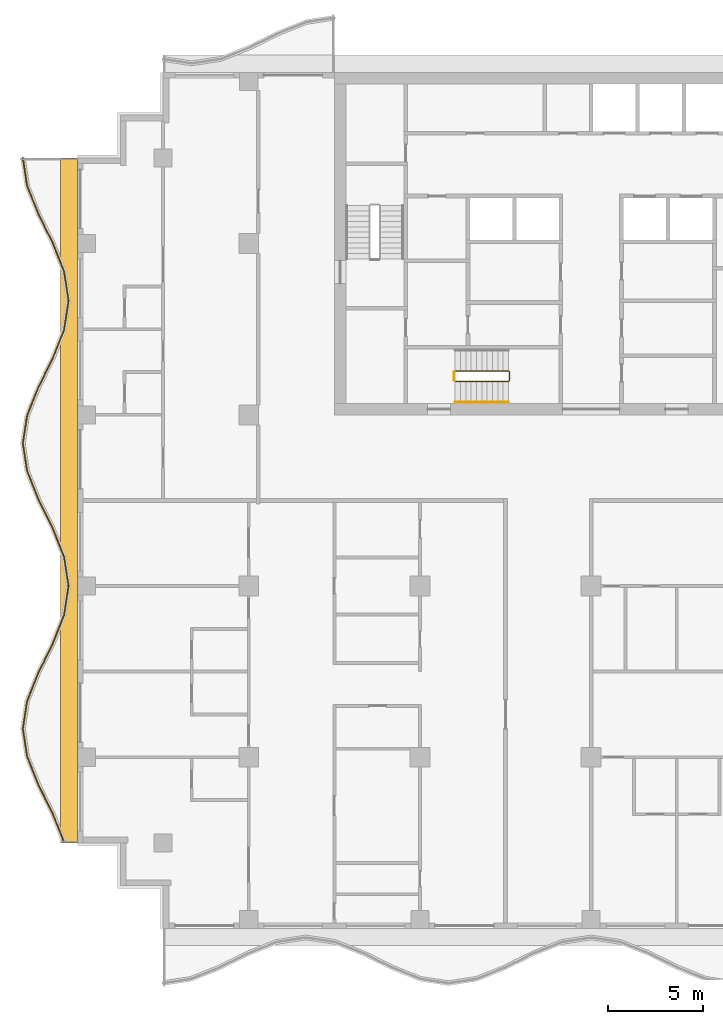
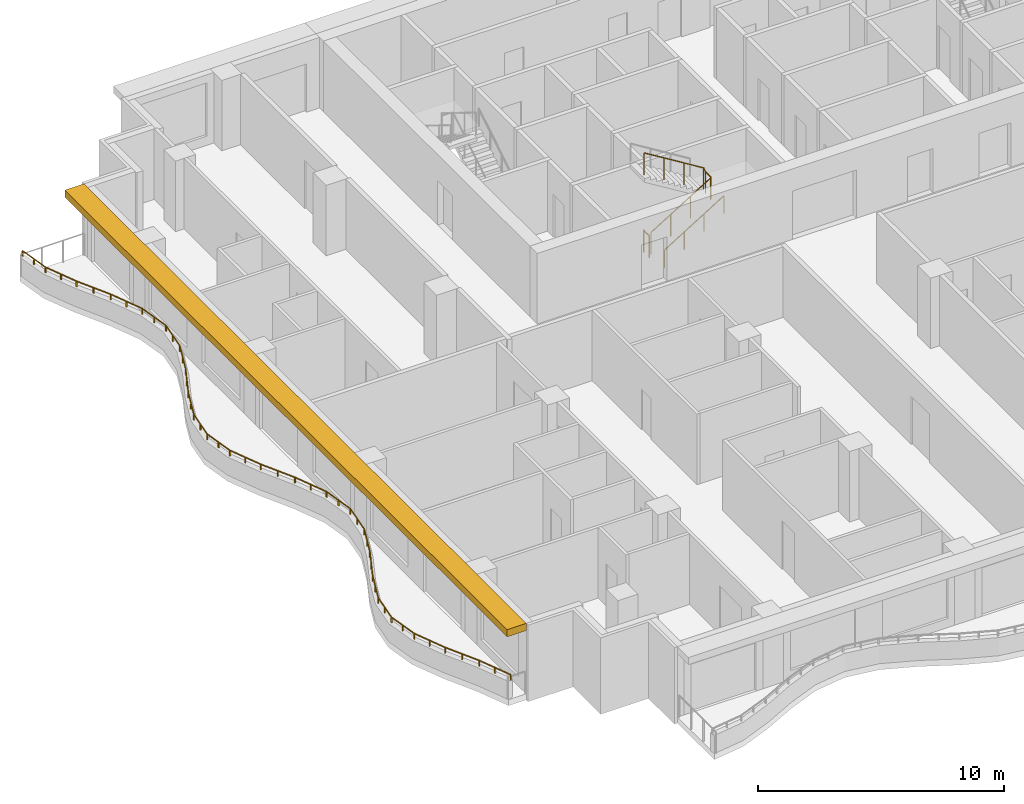
# One storey, part 9 of 11: 4 railings, 1 shading device.
"""IFC4 building model written with IfcOpenShell, lengths in metres."""

from ifc_helpers import new_model, si_unit, direction, frame, origin, origin_2d, place, context, subcontext, project, spatial, polyline, rectangle, circle, outline, extrude, material, layer, layer_set, type_object, element, save


model = new_model("IFC4")

# Units and contexts
model_context = context("Model", 3, precision=1e-05, world=origin(), true_north=direction((0.0, 1.0)))
body_context = subcontext(model_context, "Body", "Model", "MODEL_VIEW")
ifc_project = project(units=[si_unit("LENGTHUNIT", "METRE"), si_unit("AREAUNIT", "SQUARE_METRE"), si_unit("VOLUMEUNIT", "CUBIC_METRE"), si_unit("PLANEANGLEUNIT", "RADIAN"), si_unit("MASSUNIT", "GRAM", prefix="KILO")], contexts=[model_context])

# Site, building, storey
site_placement = place(None, origin())
site = spatial("IfcSite", under=ifc_project, at=site_placement, CompositionType="ELEMENT")
building_placement = place(site_placement, origin())
building = spatial("IfcBuilding", under=site, at=building_placement, Name="Orbiselva Terraces", CompositionType="ELEMENT")
storey_placement = place(building_placement, frame((0.0, 0.0, 218.6)))
storey = spatial("IfcBuildingStorey", under=building, at=storey_placement, Name="L55", CompositionType="ELEMENT", Elevation=218.6)

# Railings
ifc_material_1 = material(Name="Stainless steel", Category="steel")
railing_type_1 = type_object("IfcRailingType", Name="CORE-GUARD-1100", PredefinedType="GUARDRAIL", material=ifc_material_1)
railing_1_placement = place(storey_placement, frame((-7.15, 6.25, 0.172727)))
element("IfcRailing", 1, at=railing_1_placement, inside=storey, type_object=railing_type_1, Name="L55 S3 stair guard 1", PredefinedType="GUARDRAIL", context=body_context, shape_type="SweptSolid", body=[
    extrude(circle(Radius=0.024, at=origin_2d()), frame((0.0, 0.0, 1.081), z_axis=(0.851088519012, 0.0, 0.52502222125), x_axis=(0.0, 1.0, 0.0)), (0.0, 0.0, 1.0), 3.289905),
    extrude(circle(Radius=0.024, at=origin_2d()), frame((2.8, 0.0, 2.808273), z_axis=(0.707106781187, 0.707106781187, 0.0), x_axis=(-0.707106781187, 0.707106781187, 0.0)), (0.0, 0.0, 1.0), 0.070711),
    extrude(circle(Radius=0.024, at=origin_2d()), frame((2.85, 0.05, 2.808273), z_axis=(0.0, 1.0, 0.0), x_axis=(-1.0, 0.0, 0.0)), (0.0, 0.0, 1.0), 0.45),
    extrude(circle(Radius=0.024, at=origin_2d()), frame((2.85, 0.5, 2.808273), z_axis=(-0.267894925557, 0.267894925557, 0.925453736133), x_axis=(-0.707106781187, -0.707106781187, 0.0)), (0.0, 0.0, 1.0), 0.18664),
    extrude(circle(Radius=0.024, at=origin_2d()), frame((2.8, 0.55, 2.981), z_axis=(-0.851088519012, 0.0, 0.52502222125), x_axis=(0.0, -1.0, 0.0)), (0.0, 0.0, 1.0), 3.289905),
    extrude(circle(Radius=0.021, at=origin_2d()), origin(), (0.0, 0.0, 1.0), 1.057),
    extrude(circle(Radius=0.021, at=origin_2d()), frame((0.933333, 0.0, 0.575758)), (0.0, 0.0, 1.0), 1.057),
    extrude(circle(Radius=0.021, at=origin_2d()), frame((1.866667, 0.0, 1.151515)), (0.0, 0.0, 1.0), 1.057),
    extrude(circle(Radius=0.021, at=origin_2d()), frame((2.8, 0.0, 1.727273)), (0.0, 0.0, 1.0), 1.057),
    extrude(circle(Radius=0.021, at=origin_2d()), frame((2.85, 0.05, 1.727273)), (0.0, 0.0, 1.0), 1.057),
    extrude(circle(Radius=0.021, at=origin_2d()), frame((2.85, 0.5, 1.727273)), (0.0, 0.0, 1.0), 1.057),
    extrude(circle(Radius=0.021, at=origin_2d()), frame((2.8, 0.55, 1.9)), (0.0, 0.0, 1.0), 1.057),
    extrude(circle(Radius=0.021, at=origin_2d()), frame((1.866667, 0.55, 2.475758)), (0.0, 0.0, 1.0), 1.057),
    extrude(circle(Radius=0.021, at=origin_2d()), frame((0.933333, 0.55, 3.051515)), (0.0, 0.0, 1.0), 1.057),
    extrude(circle(Radius=0.021, at=origin_2d()), frame((0.0, 0.55, 3.627273)), (0.0, 0.0, 1.0), 1.057),
])
railing_2_placement = place(storey_placement, frame((-7.2, 6.3, 0.0)))
element("IfcRailing", 2, at=railing_2_placement, inside=storey, type_object=railing_type_1, Name="L55 S3 stair guard 2", PredefinedType="GUARDRAIL", context=body_context, shape_type="SweptSolid", body=[
    extrude(circle(Radius=0.024, at=origin_2d()), frame((0.0, 0.0, 1.081), z_axis=(0.0, 1.0, 0.0), x_axis=(-1.0, 0.0, 0.0)), (0.0, 0.0, 1.0), 0.45),
    extrude(circle(Radius=0.021, at=origin_2d()), origin(), (0.0, 0.0, 1.0), 1.057),
    extrude(circle(Radius=0.021, at=origin_2d()), frame((0.0, 0.45, 0.0)), (0.0, 0.0, 1.0), 1.057),
])
railing_type_2 = type_object("IfcRailingType", Name="CORE-HANDRAIL-900", PredefinedType="HANDRAIL", material=ifc_material_1)
railing_3_placement = place(storey_placement, frame((-7.15, 5.15, 0.172727)))
element("IfcRailing", 3, at=railing_3_placement, inside=storey, type_object=railing_type_2, Name="L55 S3 stair handrail 1", PredefinedType="HANDRAIL", context=body_context, shape_type="SweptSolid", body=[
    extrude(circle(Radius=0.024, at=origin_2d()), frame((0.0, 0.0, 0.876), z_axis=(0.851088519012, 0.0, 0.52502222125), x_axis=(0.0, 1.0, 0.0)), (0.0, 0.0, 1.0), 3.289905),
    extrude(circle(Radius=0.021, at=origin_2d()), origin(), (0.0, 0.0, 1.0), 0.852),
    extrude(circle(Radius=0.021, at=origin_2d()), frame((0.933333, 0.0, 0.575758)), (0.0, 0.0, 1.0), 0.852),
    extrude(circle(Radius=0.021, at=origin_2d()), frame((1.866667, 0.0, 1.151515)), (0.0, 0.0, 1.0), 0.852),
    extrude(circle(Radius=0.021, at=origin_2d()), frame((2.8, 0.0, 1.727273)), (0.0, 0.0, 1.0), 0.852),
])
ifc_material_2 = material(Name="Bonded two-ply safety glass balustrade, stainless steel posts", Category="steel")
railing_type_3 = type_object("IfcRailingType", Name="ENV-BALUSTRADE-1200", PredefinedType="BALUSTRADE", material=ifc_material_2)
railing_4_placement = place(storey_placement, frame((-29.876434, 18.018879, 0.9)))
element("IfcRailing", 4, at=railing_4_placement, inside=storey, type_object=railing_type_3, Name="Balcony balustrade L55 W", PredefinedType="BALUSTRADE", context=body_context, shape_type="SweptSolid", body=[
    extrude(outline(polyline([(0.028868, 0.0), (0.014434, 0.025), (-0.014434, 0.025), (-0.028868, 0.0), (-0.014434, -0.025), (0.014434, -0.025), (0.028868, 0.0)])), frame((0.0, 0.0, 0.275), z_axis=(0.151034103443, -0.988528552748, 0.0), x_axis=(0.988528552748, 0.151034103443, 0.0)), (0.0, 0.0, 1.0), 1.503038),
    extrude(outline(polyline([(0.028868, 0.0), (0.014434, 0.025), (-0.014434, 0.025), (-0.028868, 0.0), (-0.014434, -0.025), (0.014434, -0.025), (0.028868, 0.0)])), frame((0.22701, -1.485796, 0.275), z_axis=(0.371391000387, -0.928476561272, 0.0), x_axis=(0.928476561272, 0.371391000387, 0.0)), (0.0, 0.0, 1.0), 1.596261),
    extrude(outline(polyline([(0.028868, 0.0), (0.014434, 0.025), (-0.014434, 0.025), (-0.028868, 0.0), (-0.014434, -0.025), (0.014434, -0.025), (0.028868, 0.0)])), frame((0.819847, -2.967887, 0.275), z_axis=(0.443212307306, -0.896416672454, 0.0), x_axis=(0.896416672454, 0.443212307306, 0.0)), (0.0, 0.0, 1.0), 1.673329),
    extrude(outline(polyline([(0.028868, 0.0), (0.014434, 0.025), (-0.014434, 0.025), (-0.028868, 0.0), (-0.014434, -0.025), (0.014434, -0.025), (0.028868, 0.0)])), frame((1.561487, -4.467887, 0.275), z_axis=(0.371390359967, -0.92847681744, 0.0), x_axis=(0.92847681744, 0.371390359967, 0.0)), (0.0, 0.0, 1.0), 1.634838),
    extrude(outline(polyline([(0.028868, 0.0), (0.014434, 0.025), (-0.014434, 0.025), (-0.028868, 0.0), (-0.014434, -0.025), (0.014434, -0.025), (0.028868, 0.0)])), frame((2.16865, -5.985796, 0.275), z_axis=(0.151034211256, -0.988528536275, 0.0), x_axis=(0.988528536275, 0.151034211256, 0.0)), (0.0, 0.0, 1.0), 1.550874),
    extrude(outline(polyline([(0.028868, 0.0), (0.014434, 0.025), (-0.014434, 0.025), (-0.028868, 0.0), (-0.014434, -0.025), (0.014434, -0.025), (0.028868, 0.0)])), frame((2.402885, -7.518879, 0.275), z_axis=(-0.151034211256, -0.988528536275, 0.0), x_axis=(0.988528536275, -0.151034211256, 0.0)), (0.0, 0.0, 1.0), 1.550874),
    extrude(outline(polyline([(0.028868, 0.0), (0.014434, 0.025), (-0.014434, 0.025), (-0.028868, 0.0), (-0.014434, -0.025), (0.014434, -0.025), (0.028868, 0.0)])), frame((2.16865, -9.051962, 0.275), z_axis=(-0.371390359967, -0.92847681744, 0.0), x_axis=(0.92847681744, -0.371390359967, 0.0)), (0.0, 0.0, 1.0), 1.634838),
    extrude(outline(polyline([(0.028868, 0.0), (0.014434, 0.025), (-0.014434, 0.025), (-0.028868, 0.0), (-0.014434, -0.025), (0.014434, -0.025), (0.028868, 0.0)])), frame((1.561487, -10.569871, 0.275), z_axis=(-0.443212307306, -0.896416672454, 0.0), x_axis=(0.896416672454, -0.443212307306, 0.0)), (0.0, 0.0, 1.0), 1.673329),
    extrude(outline(polyline([(0.028868, 0.0), (0.014434, 0.025), (-0.014434, 0.025), (-0.028868, 0.0), (-0.014434, -0.025), (0.014434, -0.025), (0.028868, 0.0)])), frame((0.819847, -12.069871, 0.275), z_axis=(-0.371391000387, -0.928476561272, 0.0), x_axis=(0.928476561272, -0.371391000387, 0.0)), (0.0, 0.0, 1.0), 1.596261),
    extrude(outline(polyline([(0.028868, 0.0), (0.014434, 0.025), (-0.014434, 0.025), (-0.028868, 0.0), (-0.014434, -0.025), (0.014434, -0.025), (0.028868, 0.0)])), frame((0.22701, -13.551962, 0.275), z_axis=(-0.151033749027, -0.988528606898, 0.0), x_axis=(0.988528606898, -0.151033749027, 0.0)), (0.0, 0.0, 1.0), 1.48394),
    extrude(outline(polyline([(0.028868, 0.0), (0.014434, 0.025), (-0.014434, 0.025), (-0.028868, 0.0), (-0.014434, -0.025), (0.014434, -0.025), (0.028868, 0.0)])), frame((0.002885, -15.018879, 0.275), z_axis=(0.151033749027, -0.988528606898, 0.0), x_axis=(0.988528606898, 0.151033749027, 0.0)), (0.0, 0.0, 1.0), 1.48394),
    extrude(outline(polyline([(0.028868, 0.0), (0.014434, 0.025), (-0.014434, 0.025), (-0.028868, 0.0), (-0.014434, -0.025), (0.014434, -0.025), (0.028868, 0.0)])), frame((0.22701, -16.485796, 0.275), z_axis=(0.371391000387, -0.928476561272, 0.0), x_axis=(0.928476561272, 0.371391000387, 0.0)), (0.0, 0.0, 1.0), 1.596261),
    extrude(outline(polyline([(0.028868, 0.0), (0.014434, 0.025), (-0.014434, 0.025), (-0.028868, 0.0), (-0.014434, -0.025), (0.014434, -0.025), (0.028868, 0.0)])), frame((0.819847, -17.967887, 0.275), z_axis=(0.443212307306, -0.896416672454, 0.0), x_axis=(0.896416672454, 0.443212307306, 0.0)), (0.0, 0.0, 1.0), 1.673329),
    extrude(outline(polyline([(0.028868, 0.0), (0.014434, 0.025), (-0.014434, 0.025), (-0.028868, 0.0), (-0.014434, -0.025), (0.014434, -0.025), (0.028868, 0.0)])), frame((1.561487, -19.467887, 0.275), z_axis=(0.371390359967, -0.92847681744, 0.0), x_axis=(0.92847681744, 0.371390359967, 0.0)), (0.0, 0.0, 1.0), 1.634838),
    extrude(outline(polyline([(0.028868, 0.0), (0.014434, 0.025), (-0.014434, 0.025), (-0.028868, 0.0), (-0.014434, -0.025), (0.014434, -0.025), (0.028868, 0.0)])), frame((2.16865, -20.985796, 0.275), z_axis=(0.151034211256, -0.988528536275, 0.0), x_axis=(0.988528536275, 0.151034211256, 0.0)), (0.0, 0.0, 1.0), 1.550874),
    extrude(outline(polyline([(0.028868, 0.0), (0.014434, 0.025), (-0.014434, 0.025), (-0.028868, 0.0), (-0.014434, -0.025), (0.014434, -0.025), (0.028868, 0.0)])), frame((2.402885, -22.518879, 0.275), z_axis=(-0.151034211256, -0.988528536275, 0.0), x_axis=(0.988528536275, -0.151034211256, 0.0)), (0.0, 0.0, 1.0), 1.550874),
    extrude(outline(polyline([(0.028868, 0.0), (0.014434, 0.025), (-0.014434, 0.025), (-0.028868, 0.0), (-0.014434, -0.025), (0.014434, -0.025), (0.028868, 0.0)])), frame((2.16865, -24.051962, 0.275), z_axis=(-0.371390359967, -0.92847681744, 0.0), x_axis=(0.92847681744, -0.371390359967, 0.0)), (0.0, 0.0, 1.0), 1.634838),
    extrude(outline(polyline([(0.028868, 0.0), (0.014434, 0.025), (-0.014434, 0.025), (-0.028868, 0.0), (-0.014434, -0.025), (0.014434, -0.025), (0.028868, 0.0)])), frame((1.561487, -25.569871, 0.275), z_axis=(-0.443212307306, -0.896416672454, 0.0), x_axis=(0.896416672454, -0.443212307306, 0.0)), (0.0, 0.0, 1.0), 1.673329),
    extrude(outline(polyline([(0.028868, 0.0), (0.014434, 0.025), (-0.014434, 0.025), (-0.028868, 0.0), (-0.014434, -0.025), (0.014434, -0.025), (0.028868, 0.0)])), frame((0.819847, -27.069871, 0.275), z_axis=(-0.371391000387, -0.928476561272, 0.0), x_axis=(0.928476561272, -0.371391000387, 0.0)), (0.0, 0.0, 1.0), 1.596261),
    extrude(outline(polyline([(0.028868, 0.0), (0.014434, 0.025), (-0.014434, 0.025), (-0.028868, 0.0), (-0.014434, -0.025), (0.014434, -0.025), (0.028868, 0.0)])), frame((0.22701, -28.551962, 0.275), z_axis=(-0.151033749027, -0.988528606898, 0.0), x_axis=(0.988528606898, -0.151033749027, 0.0)), (0.0, 0.0, 1.0), 1.48394),
    extrude(outline(polyline([(0.028868, 0.0), (0.014434, 0.025), (-0.014434, 0.025), (-0.028868, 0.0), (-0.014434, -0.025), (0.014434, -0.025), (0.028868, 0.0)])), frame((0.002885, -30.018879, 0.275), z_axis=(0.151033749027, -0.988528606898, 0.0), x_axis=(0.988528606898, 0.151033749027, 0.0)), (0.0, 0.0, 1.0), 1.48394),
    extrude(outline(polyline([(0.028868, 0.0), (0.014434, 0.025), (-0.014434, 0.025), (-0.028868, 0.0), (-0.014434, -0.025), (0.014434, -0.025), (0.028868, 0.0)])), frame((0.22701, -31.485796, 0.275), z_axis=(0.371391000387, -0.928476561272, 0.0), x_axis=(0.928476561272, 0.371391000387, 0.0)), (0.0, 0.0, 1.0), 1.596261),
    extrude(outline(polyline([(0.028868, 0.0), (0.014434, 0.025), (-0.014434, 0.025), (-0.028868, 0.0), (-0.014434, -0.025), (0.014434, -0.025), (0.028868, 0.0)])), frame((0.819847, -32.967887, 0.275), z_axis=(0.443212307306, -0.896416672454, 0.0), x_axis=(0.896416672454, 0.443212307306, 0.0)), (0.0, 0.0, 1.0), 1.673329),
    extrude(outline(polyline([(0.028868, 0.0), (0.014434, 0.025), (-0.014434, 0.025), (-0.028868, 0.0), (-0.014434, -0.025), (0.014434, -0.025), (0.028868, 0.0)])), frame((1.561487, -34.467887, 0.275), z_axis=(0.371390569957, -0.928476733444, 0.0), x_axis=(0.928476733444, 0.371390569957, 0.0)), (0.0, 0.0, 1.0), 1.620469),
    extrude(rectangle(XDim=0.05, YDim=0.05, at=origin_2d()), origin(), (0.0, 0.0, 1.0), 0.25),
    extrude(rectangle(XDim=0.05, YDim=0.05, at=origin_2d()), frame((0.113505, -0.742898, 0.0)), (0.0, 0.0, 1.0), 0.25),
    extrude(rectangle(XDim=0.05, YDim=0.05, at=origin_2d()), frame((0.22701, -1.485796, 0.0)), (0.0, 0.0, 1.0), 0.25),
    extrude(rectangle(XDim=0.05, YDim=0.05, at=origin_2d()), frame((0.523428, -2.226841, 0.0)), (0.0, 0.0, 1.0), 0.25),
    extrude(rectangle(XDim=0.05, YDim=0.05, at=origin_2d()), frame((0.819847, -2.967887, 0.0)), (0.0, 0.0, 1.0), 0.25),
    extrude(rectangle(XDim=0.05, YDim=0.05, at=origin_2d()), frame((1.190667, -3.717887, 0.0)), (0.0, 0.0, 1.0), 0.25),
    extrude(rectangle(XDim=0.05, YDim=0.05, at=origin_2d()), frame((1.561487, -4.467887, 0.0)), (0.0, 0.0, 1.0), 0.25),
    extrude(rectangle(XDim=0.05, YDim=0.05, at=origin_2d()), frame((1.865068, -5.226841, 0.0)), (0.0, 0.0, 1.0), 0.25),
    extrude(rectangle(XDim=0.05, YDim=0.05, at=origin_2d()), frame((2.16865, -5.985796, 0.0)), (0.0, 0.0, 1.0), 0.25),
    extrude(rectangle(XDim=0.05, YDim=0.05, at=origin_2d()), frame((2.285768, -6.752337, 0.0)), (0.0, 0.0, 1.0), 0.25),
    extrude(rectangle(XDim=0.05, YDim=0.05, at=origin_2d()), frame((2.402885, -7.518879, 0.0)), (0.0, 0.0, 1.0), 0.25),
    extrude(rectangle(XDim=0.05, YDim=0.05, at=origin_2d()), frame((2.285768, -8.28542, 0.0)), (0.0, 0.0, 1.0), 0.25),
    extrude(rectangle(XDim=0.05, YDim=0.05, at=origin_2d()), frame((2.16865, -9.051962, 0.0)), (0.0, 0.0, 1.0), 0.25),
    extrude(rectangle(XDim=0.05, YDim=0.05, at=origin_2d()), frame((1.865068, -9.810916, 0.0)), (0.0, 0.0, 1.0), 0.25),
    extrude(rectangle(XDim=0.05, YDim=0.05, at=origin_2d()), frame((1.561487, -10.569871, 0.0)), (0.0, 0.0, 1.0), 0.25),
    extrude(rectangle(XDim=0.05, YDim=0.05, at=origin_2d()), frame((1.190667, -11.319871, 0.0)), (0.0, 0.0, 1.0), 0.25),
    extrude(rectangle(XDim=0.05, YDim=0.05, at=origin_2d()), frame((0.819847, -12.069871, 0.0)), (0.0, 0.0, 1.0), 0.25),
    extrude(rectangle(XDim=0.05, YDim=0.05, at=origin_2d()), frame((0.523428, -12.810916, 0.0)), (0.0, 0.0, 1.0), 0.25),
    extrude(rectangle(XDim=0.05, YDim=0.05, at=origin_2d()), frame((0.22701, -13.551962, 0.0)), (0.0, 0.0, 1.0), 0.25),
    extrude(rectangle(XDim=0.05, YDim=0.05, at=origin_2d()), frame((0.114947, -14.28542, 0.0)), (0.0, 0.0, 1.0), 0.25),
    extrude(rectangle(XDim=0.05, YDim=0.05, at=origin_2d()), frame((0.002885, -15.018879, 0.0)), (0.0, 0.0, 1.0), 0.25),
    extrude(rectangle(XDim=0.05, YDim=0.05, at=origin_2d()), frame((0.114947, -15.752337, 0.0)), (0.0, 0.0, 1.0), 0.25),
    extrude(rectangle(XDim=0.05, YDim=0.05, at=origin_2d()), frame((0.22701, -16.485796, 0.0)), (0.0, 0.0, 1.0), 0.25),
    extrude(rectangle(XDim=0.05, YDim=0.05, at=origin_2d()), frame((0.523428, -17.226842, 0.0)), (0.0, 0.0, 1.0), 0.25),
    extrude(rectangle(XDim=0.05, YDim=0.05, at=origin_2d()), frame((0.819847, -17.967887, 0.0)), (0.0, 0.0, 1.0), 0.25),
    extrude(rectangle(XDim=0.05, YDim=0.05, at=origin_2d()), frame((1.190667, -18.717887, 0.0)), (0.0, 0.0, 1.0), 0.25),
    extrude(rectangle(XDim=0.05, YDim=0.05, at=origin_2d()), frame((1.561487, -19.467887, 0.0)), (0.0, 0.0, 1.0), 0.25),
    extrude(rectangle(XDim=0.05, YDim=0.05, at=origin_2d()), frame((1.865068, -20.226842, 0.0)), (0.0, 0.0, 1.0), 0.25),
    extrude(rectangle(XDim=0.05, YDim=0.05, at=origin_2d()), frame((2.16865, -20.985796, 0.0)), (0.0, 0.0, 1.0), 0.25),
    extrude(rectangle(XDim=0.05, YDim=0.05, at=origin_2d()), frame((2.285768, -21.752337, 0.0)), (0.0, 0.0, 1.0), 0.25),
    extrude(rectangle(XDim=0.05, YDim=0.05, at=origin_2d()), frame((2.402885, -22.518879, 0.0)), (0.0, 0.0, 1.0), 0.25),
    extrude(rectangle(XDim=0.05, YDim=0.05, at=origin_2d()), frame((2.285768, -23.28542, 0.0)), (0.0, 0.0, 1.0), 0.25),
    extrude(rectangle(XDim=0.05, YDim=0.05, at=origin_2d()), frame((2.16865, -24.051962, 0.0)), (0.0, 0.0, 1.0), 0.25),
    extrude(rectangle(XDim=0.05, YDim=0.05, at=origin_2d()), frame((1.865068, -24.810916, 0.0)), (0.0, 0.0, 1.0), 0.25),
    extrude(rectangle(XDim=0.05, YDim=0.05, at=origin_2d()), frame((1.561487, -25.569871, 0.0)), (0.0, 0.0, 1.0), 0.25),
    extrude(rectangle(XDim=0.05, YDim=0.05, at=origin_2d()), frame((1.190667, -26.319871, 0.0)), (0.0, 0.0, 1.0), 0.25),
    extrude(rectangle(XDim=0.05, YDim=0.05, at=origin_2d()), frame((0.819847, -27.069871, 0.0)), (0.0, 0.0, 1.0), 0.25),
    extrude(rectangle(XDim=0.05, YDim=0.05, at=origin_2d()), frame((0.523428, -27.810916, 0.0)), (0.0, 0.0, 1.0), 0.25),
    extrude(rectangle(XDim=0.05, YDim=0.05, at=origin_2d()), frame((0.22701, -28.551962, 0.0)), (0.0, 0.0, 1.0), 0.25),
    extrude(rectangle(XDim=0.05, YDim=0.05, at=origin_2d()), frame((0.114947, -29.28542, 0.0)), (0.0, 0.0, 1.0), 0.25),
    extrude(rectangle(XDim=0.05, YDim=0.05, at=origin_2d()), frame((0.002885, -30.018879, 0.0)), (0.0, 0.0, 1.0), 0.25),
    extrude(rectangle(XDim=0.05, YDim=0.05, at=origin_2d()), frame((0.114947, -30.752338, 0.0)), (0.0, 0.0, 1.0), 0.25),
    extrude(rectangle(XDim=0.05, YDim=0.05, at=origin_2d()), frame((0.22701, -31.485796, 0.0)), (0.0, 0.0, 1.0), 0.25),
    extrude(rectangle(XDim=0.05, YDim=0.05, at=origin_2d()), frame((0.523428, -32.226842, 0.0)), (0.0, 0.0, 1.0), 0.25),
    extrude(rectangle(XDim=0.05, YDim=0.05, at=origin_2d()), frame((0.819847, -32.967887, 0.0)), (0.0, 0.0, 1.0), 0.25),
    extrude(rectangle(XDim=0.05, YDim=0.05, at=origin_2d()), frame((1.190667, -33.717887, 0.0)), (0.0, 0.0, 1.0), 0.25),
    extrude(rectangle(XDim=0.05, YDim=0.05, at=origin_2d()), frame((1.561487, -34.467887, 0.0)), (0.0, 0.0, 1.0), 0.25),
    extrude(rectangle(XDim=0.05, YDim=0.05, at=origin_2d()), frame((1.8624, -35.220171, 0.0)), (0.0, 0.0, 1.0), 0.25),
    extrude(rectangle(XDim=0.05, YDim=0.05, at=origin_2d()), frame((2.163314, -35.972455, 0.0)), (0.0, 0.0, 1.0), 0.25),
])

# Shading device
ifc_material_3 = material(Name="Terracotta baguette sunshade", Category="masonry")
ifc_layer = layer(ifc_material_3, 0.35)
ifc_layer_set = layer_set([ifc_layer], Name="Terracotta baguette sunshade")
shading_device_type = type_object("IfcShadingDeviceType", Name="ENV-SUNSHADE-900x350", PredefinedType="USERDEFINED", material=ifc_layer_set)
shading_device_placement = place(storey_placement, frame((0.0, 0.0, 3.15)))
element("IfcShadingDevice", 5, at=shading_device_placement, inside=storey, type_object=shading_device_type, Name="Sunshade band L55 W", ObjectType="SUNSHADE", PredefinedType="USERDEFINED", context=body_context, shape_type="SweptSolid", body=[
    extrude(outline(polyline([(-27.9, 18.0), (-27.9, -18.0), (-27.0, -18.0), (-27.0, 18.0), (-27.9, 18.0)])), origin(), (0.0, 0.0, 1.0), 0.35),
])

save(model, "model.ifc")
